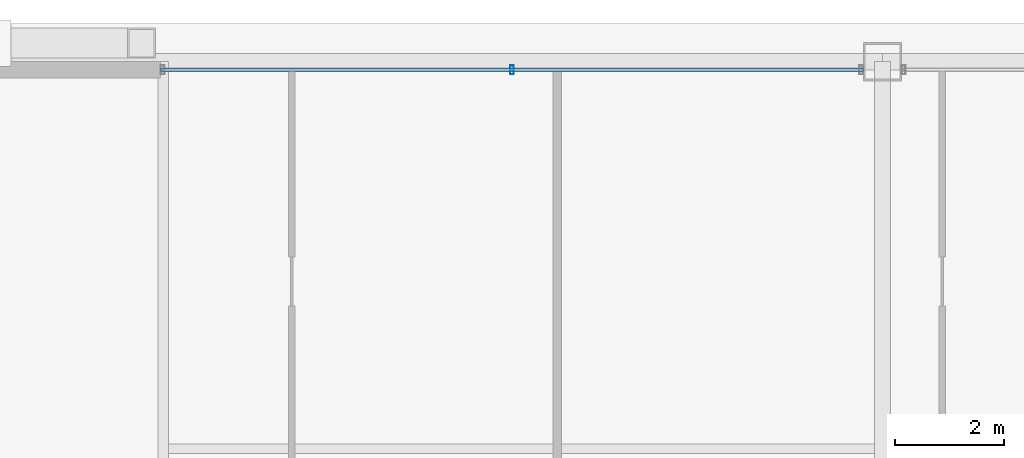
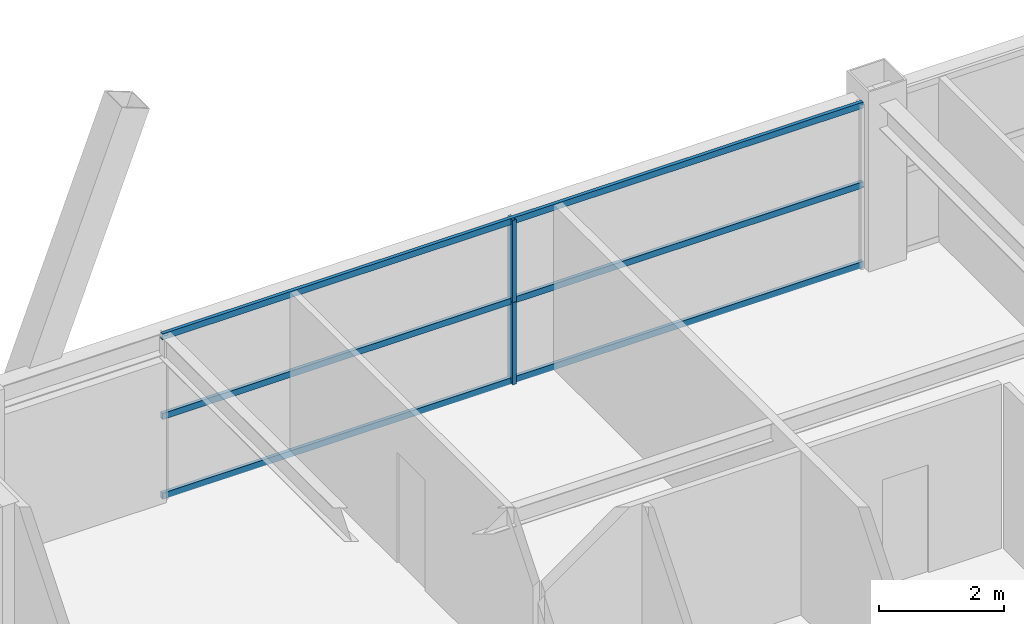
# One storey, part 25 of 36: 5 members, 1 element without a shape of its own.
"""IFC4 building model written with IfcOpenShell, lengths in metres."""

from ifc_helpers import new_model, si_unit, direction, frame, origin, origin_2d, place, context, subcontext, project, spatial, hollow_rectangle, extrude, source, transform, mapped, material, layer, layer_set, material_profile, profile_set, type_object, element, aggregate, save


model = new_model("IFC4")

# Units and contexts
model_context = context("Model", 3, precision=1e-05, world=origin(), true_north=direction((0.0, 1.0)))
body_context = subcontext(model_context, "Body", "Model", "MODEL_VIEW")
ifc_project = project(units=[si_unit("LENGTHUNIT", "METRE"), si_unit("AREAUNIT", "SQUARE_METRE"), si_unit("VOLUMEUNIT", "CUBIC_METRE"), si_unit("PLANEANGLEUNIT", "RADIAN"), si_unit("MASSUNIT", "GRAM", prefix="KILO"), si_unit("THERMODYNAMICTEMPERATUREUNIT", "KELVIN"), si_unit("POWERUNIT", "WATT")], contexts=[model_context])

# Site, building, storey
site_placement = place(None, origin())
site = spatial("IfcSite", under=ifc_project, at=site_placement, CompositionType="ELEMENT")
building_placement = place(site_placement, origin())
building = spatial("IfcBuilding", under=site, at=building_placement, Name="Yuzanri Waterfront Tower", CompositionType="ELEMENT")
storey_placement = place(building_placement, frame((0.0, 0.0, 255.60009765625)))
storey = spatial("IfcBuildingStorey", under=building, at=storey_placement, Name="L68", CompositionType="ELEMENT", Elevation=255.60009765625)

# Curtain wall, members
ifc_material_1 = material(Name="Anodized Architectural Bronze", Category="metal")
ifc_layer = layer(ifc_material_1, 0.159912109375)
ifc_layer_set = layer_set([ifc_layer], Name="Anodized Architectural Bronze")
curtain_wall_type = type_object("IfcCurtainWallType", Name="Anodized Bronze Mid-Rise Residential Acoustic Unitized Curtain Wall 7200", PredefinedType="NOTDEFINED", material=ifc_layer_set)
curtain_wall_placement = place(storey_placement, origin())
curtain_wall = element("IfcCurtainWall", 1, at=curtain_wall_placement, inside=storey, type_object=curtain_wall_type, Name="L68 Curtain Wall CW-L68-NL", PredefinedType="NOTDEFINED")
ifc_material_2 = material(Name="Anodized Architectural Bronze", Category="metal")
ifc_material_profile_1 = material_profile(ifc_material_2, hollow_rectangle(XDim=0.06494140625, YDim=0.1201171875, WallThickness=0.00341796875, at=origin_2d()), Name="CWT 65x120")
ifc_profile_set_1 = profile_set([ifc_material_profile_1], Name="Anodized Architectural Bronze")
member_type_1 = type_object("IfcMemberType", Name="Anodized Bronze Secondary Curtain-Wall Transom 65x120", PredefinedType="USERDEFINED", material=ifc_profile_set_1)
shared_shape_1 = source(origin(), body_context, "Body", "SweptSolid", [
    extrude(hollow_rectangle(XDim=0.06494140625, YDim=0.1201171875, WallThickness=0.00341796875, at=origin_2d()), origin(), (0.0, 0.0, 1.0), 12.89990234375),
])
member_1_placement = place(storey_placement, frame((23.75, 46.25, 0.0498046875), z_axis=(1.0, 0.0, 0.0), x_axis=(0.0, 1.0, 0.0)))
member_1 = element("IfcMember", 2, at=member_1_placement, type_object=member_type_1, Name="CW-L68-NL Transom 1", ObjectType="TRANSOM", PredefinedType="USERDEFINED", context=body_context, shape_type="MappedRepresentation", body=[
    mapped(shared_shape_1, transform((0.0, 0.0, 0.0), scale=1.0)),
])
member_2_placement = place(storey_placement, frame((23.75, 46.25, 1.599853515625), z_axis=(1.0, 0.0, 0.0), x_axis=(0.0, 1.0, 0.0)))
member_2 = element("IfcMember", 3, at=member_2_placement, type_object=member_type_1, Name="CW-L68-NL Transom 2", ObjectType="TRANSOM", PredefinedType="USERDEFINED", context=body_context, shape_type="MappedRepresentation", body=[
    mapped(shared_shape_1, transform((0.0, 0.0, 0.0), scale=1.0)),
])
member_3_placement = place(storey_placement, frame((23.75, 46.25, 3.14990234375), z_axis=(1.0, 0.0, 0.0), x_axis=(0.0, 1.0, 0.0)))
member_3 = element("IfcMember", 4, at=member_3_placement, type_object=member_type_1, Name="CW-L68-NL Transom 3", ObjectType="TRANSOM", PredefinedType="USERDEFINED", context=body_context, shape_type="MappedRepresentation", body=[
    mapped(shared_shape_1, transform((0.0, 0.0, 0.0), scale=1.0)),
])
ifc_material_3 = material(Name="Anodized Architectural Bronze", Category="metal")
ifc_material_profile_2 = material_profile(ifc_material_3, hollow_rectangle(XDim=0.06494140625, YDim=0.159912109375, WallThickness=0.00341796875, at=origin_2d()), Name="CWM 65x160")
ifc_profile_set_2 = profile_set([ifc_material_profile_2], Name="Anodized Architectural Bronze")
member_type_2 = type_object("IfcMemberType", Name="Anodized Bronze Upper-Zone Curtain-Wall Mullion 65x160", PredefinedType="MULLION", material=ifc_profile_set_2)
shared_shape_2 = source(origin(), body_context, "Body", "SweptSolid", [
    extrude(hollow_rectangle(XDim=0.06494140625, YDim=0.159912109375, WallThickness=0.00341796875, at=origin_2d()), origin(), (0.0, 0.0, 1.0), 1.597900390625),
])
member_4_placement = place(storey_placement, frame((30.199951171875, 46.25, 0.0), z_axis=(0.0, 0.0, 1.0), x_axis=(1.0, 0.0, 0.0)))
member_4 = element("IfcMember", 5, at=member_4_placement, type_object=member_type_2, Name="CW-L68-NL Lower Mullion 01", PredefinedType="MULLION", context=body_context, shape_type="MappedRepresentation", body=[
    mapped(shared_shape_2, transform((0.0, 0.0, 0.0), scale=1.0)),
])
shared_shape_3 = source(origin(), body_context, "Body", "SweptSolid", [
    extrude(hollow_rectangle(XDim=0.06494140625, YDim=0.159912109375, WallThickness=0.00341796875, at=origin_2d()), origin(), (0.0, 0.0, 1.0), 1.59814453125),
])
member_5_placement = place(storey_placement, frame((30.199951171875, 46.25, 1.601806640625), z_axis=(0.0, 0.0, 1.0), x_axis=(1.0, 0.0, 0.0)))
member_5 = element("IfcMember", 6, at=member_5_placement, type_object=member_type_2, Name="CW-L68-NL Upper Mullion 01", PredefinedType="MULLION", context=body_context, shape_type="MappedRepresentation", body=[
    mapped(shared_shape_3, transform((0.0, 0.0, 0.0), scale=1.0)),
])
aggregate(curtain_wall, [member_4, member_5, member_1, member_2, member_3])

save(model, "model.ifc")
